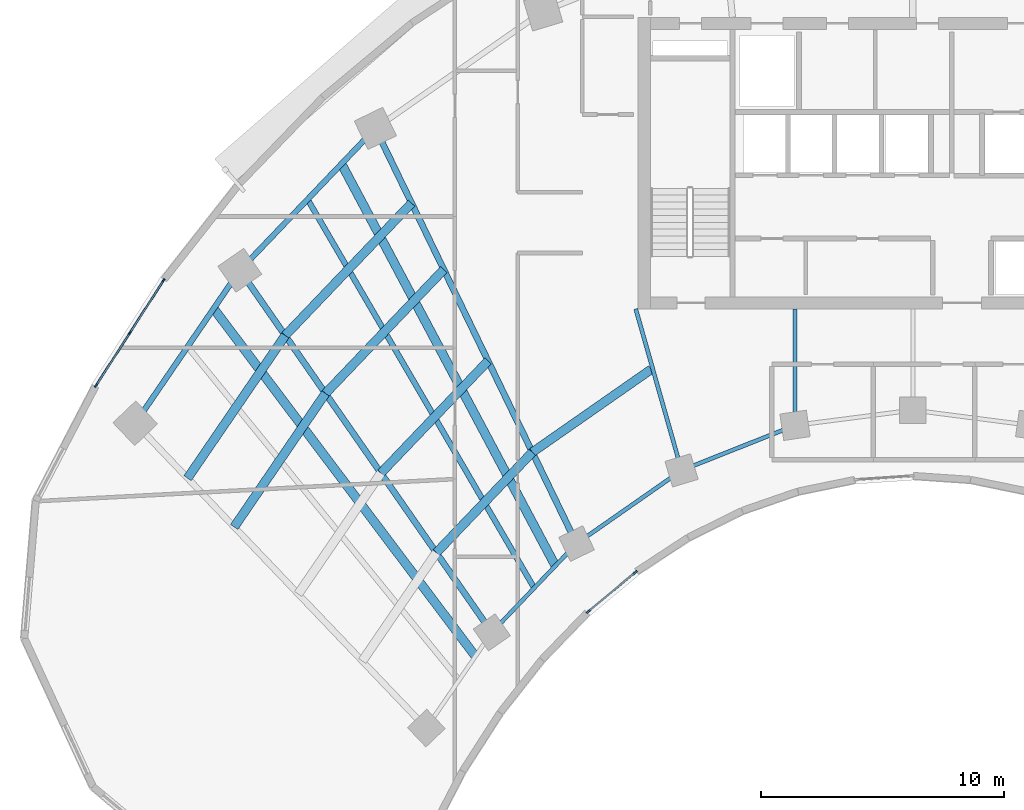
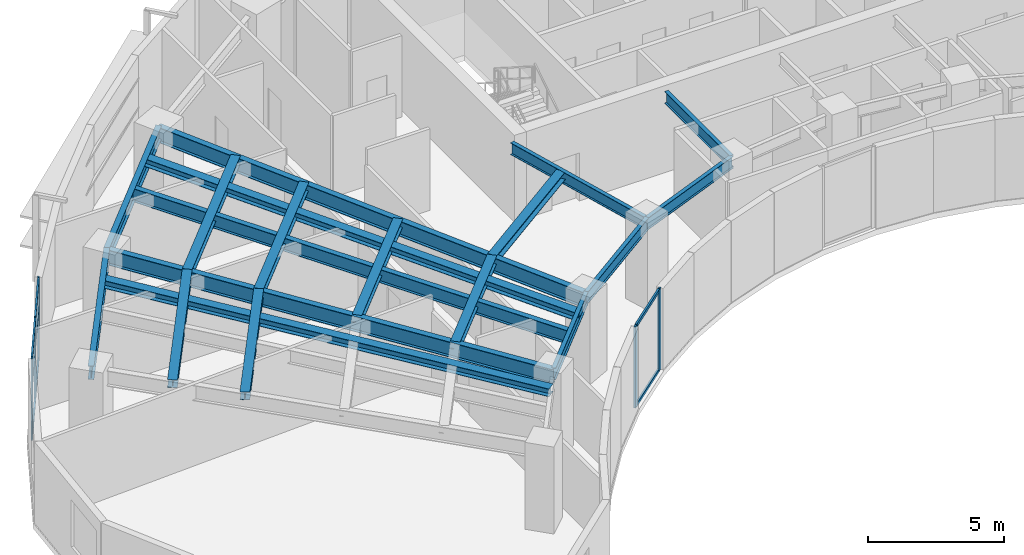
# One storey, part 2 of 14: 19 beams, 13 members, 2 elements without a shape of their own.
"""IFC4 building model written with IfcOpenShell, lengths in metres."""

from ifc_helpers import new_model, si_unit, direction, frame, origin, origin_2d, place, context, subcontext, project, spatial, rectangle, i_section, extrude, source, transform, mapped, material, layer, layer_set, material_profile, profile_set, type_object, type_shapes, element, aggregate, save


model = new_model("IFC4")

# Units and contexts
model_context = context("Model", 3, precision=1e-05, world=origin(), true_north=direction((0.0, 1.0)))
body_context = subcontext(model_context, "Body", "Model", "MODEL_VIEW")
ifc_project = project(units=[si_unit("LENGTHUNIT", "METRE"), si_unit("AREAUNIT", "SQUARE_METRE"), si_unit("VOLUMEUNIT", "CUBIC_METRE"), si_unit("PLANEANGLEUNIT", "RADIAN"), si_unit("MASSUNIT", "GRAM", prefix="KILO")], contexts=[model_context])

# Site, building, storey
site_placement = place(None, origin())
site = spatial("IfcSite", under=ifc_project, at=site_placement, CompositionType="ELEMENT")
building_placement = place(site_placement, origin())
building = spatial("IfcBuilding", under=site, at=building_placement, Name="Breltana Convention Tower", CompositionType="ELEMENT")
storey_placement = place(building_placement, frame((0.0, 0.0, 103.800048828125)))
storey = spatial("IfcBuildingStorey", under=building, at=storey_placement, Name="L24", CompositionType="ELEMENT", Elevation=103.800048828125)

# Beams
ifc_material_1 = material(Name="Steel ASTM A992 Grade 50", Category="steel")
ifc_material_profile_1 = material_profile(ifc_material_1, i_section(OverallWidth=0.25390625, OverallDepth=0.68798828125, WebThickness=0.01318359375, FlangeThickness=0.02099609375, at=origin_2d()), Name="W27X102")
ifc_profile_set_1 = profile_set([ifc_material_profile_1], Name="Steel ASTM A992 Grade 50")
beam_type_1 = type_object("IfcBeamType", Name="BM-RG-W27X102", PredefinedType="USERDEFINED", material=ifc_profile_set_1)
shared_shape_1 = source(origin(), body_context, "Body", "SweptSolid", [
    extrude(i_section(OverallWidth=0.25390625, OverallDepth=0.68798828125, WebThickness=0.01318359375, FlangeThickness=0.02099609375, at=origin_2d()), origin(), (0.0, 0.0, 1.0), 18.1484375),
])
beam_1_placement = place(storey_placement, frame((30.67724609375, 46.892333984375, 3.305908203125), z_axis=(-0.571207556098, 0.820805657788, 0.0), x_axis=(-0.820805657788, -0.571207556098, 0.0)))
element("IfcBeam", 1, at=beam_1_placement, inside=storey, type_object=beam_type_1, Name="L24 Radial Floor Girder R02", ObjectType="GIRDER", PredefinedType="USERDEFINED", context=body_context, shape_type="MappedRepresentation", body=[
    mapped(shared_shape_1, transform((0.0, 0.0, 0.0), scale=1.0)),
])
shared_shape_2 = source(origin(), body_context, "Body", "SweptSolid", [
    extrude(i_section(OverallWidth=0.25390625, OverallDepth=0.68798828125, WebThickness=0.01318359375, FlangeThickness=0.02099609375, at=origin_2d()), origin(), (0.0, 0.0, 1.0), 18.982421875),
])
beam_2_placement = place(storey_placement, frame((34.166259765625, 50.544921875, 3.305908203125), z_axis=(-0.436118560343, 0.89988921614, 0.0), x_axis=(-0.89988921614, -0.436118560343, 0.0)))
element("IfcBeam", 2, at=beam_2_placement, inside=storey, type_object=beam_type_1, Name="L24 Radial Floor Girder R03", ObjectType="GIRDER", PredefinedType="USERDEFINED", context=body_context, shape_type="MappedRepresentation", body=[
    mapped(shared_shape_2, transform((0.0, 0.0, 0.0), scale=1.0)),
])
ifc_material_profile_2 = material_profile(ifc_material_1, i_section(OverallWidth=0.166015625, OverallDepth=0.534912109375, WebThickness=0.01025390625, FlangeThickness=0.0166015625, at=origin_2d()), Name="W21X57")
ifc_profile_set_2 = profile_set([ifc_material_profile_2], Name="Steel ASTM A992 Grade 50")
beam_type_2 = type_object("IfcBeamType", Name="BM-BM-W21X57", PredefinedType="BEAM", material=ifc_profile_set_2)
shared_shape_3 = source(origin(), body_context, "Body", "SweptSolid", [
    extrude(i_section(OverallWidth=0.166015625, OverallDepth=0.534912109375, WebThickness=0.01025390625, FlangeThickness=0.0166015625, at=origin_2d()), origin(), (0.0, 0.0, 1.0), 6.904541015625),
])
type_shapes(beam_type_2, [shared_shape_3])
beam_3_placement = place(storey_placement, frame((36.60009765625, 60.199951171875, 3.382568359375), z_axis=(0.273006781054, -0.962012108811, 0.0), x_axis=(0.962012108811, 0.273006781054, 0.0)))
element("IfcBeam", 3, at=beam_3_placement, inside=storey, type_object=beam_type_2, Name="L24 South Core Tie Girder R04", PredefinedType="BEAM", context=body_context, shape_type="MappedRepresentation", body=[
    mapped(shared_shape_3, transform((0.0, 0.0, 0.0), scale=1.0)),
])
shared_shape_4 = source(origin(), body_context, "Body", "SweptSolid", [
    extrude(i_section(OverallWidth=0.166015625, OverallDepth=0.534912109375, WebThickness=0.01025390625, FlangeThickness=0.0166015625, at=origin_2d()), origin(), (0.0, 0.0, 1.0), 4.789306640625),
])
beam_4_placement = place(storey_placement, frame((43.153564453125, 60.199951171875, 3.382568359375), z_axis=(0.0, -1.0, 0.0), x_axis=(1.0, 0.0, 0.0)))
element("IfcBeam", 4, at=beam_4_placement, inside=storey, type_object=beam_type_2, Name="L24 South Core Tie Girder R05", PredefinedType="BEAM", context=body_context, shape_type="MappedRepresentation", body=[
    mapped(shared_shape_4, transform((0.0, 0.0, 0.0), scale=1.0)),
])
ifc_material_profile_3 = material_profile(ifc_material_1, i_section(OverallWidth=0.22802734375, OverallDepth=0.60791015625, WebThickness=0.01123046875, FlangeThickness=0.017333984375, at=origin_2d()), Name="W24X76")
ifc_profile_set_3 = profile_set([ifc_material_profile_3], Name="Steel ASTM A992 Grade 50")
beam_type_3 = type_object("IfcBeamType", Name="BM-SP-W24X76", PredefinedType="SPANDREL", material=ifc_profile_set_3)
shared_shape_5 = source(origin(), body_context, "Body", "SweptSolid", [
    extrude(i_section(OverallWidth=0.22802734375, OverallDepth=0.60791015625, WebThickness=0.01123046875, FlangeThickness=0.017333984375, at=origin_2d()), origin(), (0.0, 0.0, 1.0), 7.625),
])
type_shapes(beam_type_3, [shared_shape_5])
beam_5_placement = place(storey_placement, frame((16.0068359375, 55.494384765625, 3.345947265625), z_axis=(0.564452031902, 0.825465870694, 0.0), x_axis=(-0.825465870694, 0.564452031902, 0.0)))
element("IfcBeam", 5, at=beam_5_placement, inside=storey, type_object=beam_type_3, Name="L24 Outer Spandrel Beam 01", PredefinedType="SPANDREL", context=body_context, shape_type="MappedRepresentation", body=[
    mapped(shared_shape_5, transform((0.0, 0.0, 0.0), scale=1.0)),
])
shared_shape_6 = source(origin(), body_context, "Body", "SweptSolid", [
    extrude(i_section(OverallWidth=0.166015625, OverallDepth=0.534912109375, WebThickness=0.01025390625, FlangeThickness=0.0166015625, at=origin_2d()), origin(), (0.0, 0.0, 1.0), 5.05126953125),
])
beam_6_placement = place(storey_placement, frame((30.67724609375, 46.892333984375, 3.382568359375), z_axis=(0.690729753845, 0.7231129975, 0.0), x_axis=(-0.7231129975, 0.690729753845, 0.0)))
element("IfcBeam", 6, at=beam_6_placement, inside=storey, type_object=beam_type_2, Name="L24 Inner Ring Beam 02", PredefinedType="BEAM", context=body_context, shape_type="MappedRepresentation", body=[
    mapped(shared_shape_6, transform((0.0, 0.0, 0.0), scale=1.0)),
])
shared_shape_7 = source(origin(), body_context, "Body", "SweptSolid", [
    extrude(i_section(OverallWidth=0.22802734375, OverallDepth=0.60791015625, WebThickness=0.01123046875, FlangeThickness=0.017333984375, at=origin_2d()), origin(), (0.0, 0.0, 1.0), 8.073974609375),
])
beam_7_placement = place(storey_placement, frame((20.310791015625, 61.78857421875, 3.345947265625), z_axis=(0.69072885448, 0.723113856588, 0.0), x_axis=(-0.723113856588, 0.69072885448, 0.0)))
element("IfcBeam", 7, at=beam_7_placement, inside=storey, type_object=beam_type_3, Name="L24 Outer Spandrel Beam 02", PredefinedType="SPANDREL", context=body_context, shape_type="MappedRepresentation", body=[
    mapped(shared_shape_7, transform((0.0, 0.0, 0.0), scale=1.0)),
])
shared_shape_8 = source(origin(), body_context, "Body", "SweptSolid", [
    extrude(i_section(OverallWidth=0.166015625, OverallDepth=0.534912109375, WebThickness=0.01025390625, FlangeThickness=0.0166015625, at=origin_2d()), origin(), (0.0, 0.0, 1.0), 5.265869140625),
])
beam_8_placement = place(storey_placement, frame((34.166259765625, 50.544921875, 3.382568359375), z_axis=(0.820167429517, 0.572123577176, 0.0), x_axis=(-0.572123577176, 0.820167429517, 0.0)))
element("IfcBeam", 8, at=beam_8_placement, inside=storey, type_object=beam_type_2, Name="L24 Inner Ring Beam 03", PredefinedType="BEAM", context=body_context, shape_type="MappedRepresentation", body=[
    mapped(shared_shape_8, transform((0.0, 0.0, 0.0), scale=1.0)),
])
shared_shape_9 = source(origin(), body_context, "Body", "SweptSolid", [
    extrude(i_section(OverallWidth=0.166015625, OverallDepth=0.534912109375, WebThickness=0.01025390625, FlangeThickness=0.0166015625, at=origin_2d()), origin(), (0.0, 0.0, 1.0), 5.022705078125),
])
beam_9_placement = place(storey_placement, frame((38.485107421875, 53.5576171875, 3.382568359375), z_axis=(0.929458966248, 0.368925507469, 0.0), x_axis=(-0.368925507469, 0.929458966248, 0.0)))
element("IfcBeam", 9, at=beam_9_placement, inside=storey, type_object=beam_type_2, Name="L24 Inner Ring Beam 04", PredefinedType="BEAM", context=body_context, shape_type="MappedRepresentation", body=[
    mapped(shared_shape_9, transform((0.0, 0.0, 0.0), scale=1.0)),
])
ifc_material_profile_4 = material_profile(ifc_material_1, i_section(OverallWidth=0.368896484375, OverallDepth=0.35595703125, WebThickness=0.01123046875, FlangeThickness=0.01806640625, at=origin_2d()), Name="W14X90")
ifc_profile_set_4 = profile_set([ifc_material_profile_4], Name="Steel ASTM A992 Grade 50")
beam_type_4 = type_object("IfcBeamType", Name="BM-JSG-09", PredefinedType="JOIST", material=ifc_profile_set_4)
shared_shape_10 = source(origin(), body_context, "Body", "SweptSolid", [
    extrude(i_section(OverallWidth=0.368896484375, OverallDepth=0.35595703125, WebThickness=0.01123046875, FlangeThickness=0.01806640625, at=origin_2d()), origin(), (0.0, 0.0, 1.0), 6.654541015625),
])
beam_10_placement = place(storey_placement, frame((20.0791015625, 51.23095703125, 3.471923828125), z_axis=(0.564482668195, 0.82544492082, 0.0), x_axis=(-0.82544492082, 0.564482668195, 0.0)))
element("IfcBeam", 10, at=beam_10_placement, inside=storey, type_object=beam_type_4, Name="L24 Composite Floor Joist 01.3", PredefinedType="JOIST", context=body_context, shape_type="MappedRepresentation", body=[
    mapped(shared_shape_10, transform((0.0, 0.0, 0.0), scale=1.0)),
])
shared_shape_11 = source(origin(), body_context, "Body", "SweptSolid", [
    extrude(i_section(OverallWidth=0.368896484375, OverallDepth=0.35595703125, WebThickness=0.01123046875, FlangeThickness=0.01806640625, at=origin_2d()), origin(), (0.0, 0.0, 1.0), 7.111328125),
])
beam_11_placement = place(storey_placement, frame((18.162841796875, 53.2373046875, 3.471923828125), z_axis=(0.564446356178, 0.825469751715, 0.0), x_axis=(-0.825469751715, 0.564446356178, 0.0)))
element("IfcBeam", 11, at=beam_11_placement, inside=storey, type_object=beam_type_4, Name="L24 Composite Floor Joist 01.4", PredefinedType="JOIST", context=body_context, shape_type="MappedRepresentation", body=[
    mapped(shared_shape_11, transform((0.0, 0.0, 0.0), scale=1.0)),
])
shared_shape_12 = source(origin(), body_context, "Body", "SweptSolid", [
    extrude(i_section(OverallWidth=0.368896484375, OverallDepth=0.35595703125, WebThickness=0.01123046875, FlangeThickness=0.01806640625, at=origin_2d()), origin(), (0.0, 0.0, 1.0), 17.9072265625),
])
beam_12_placement = place(storey_placement, frame((30.00390625, 45.907958984375, 3.471923828125), z_axis=(-0.601382105028, 0.798961553363, 0.0), x_axis=(-0.798961553363, -0.601382105028, 0.0)))
element("IfcBeam", 12, at=beam_12_placement, inside=storey, type_object=beam_type_4, Name="L24 Quarter-Bay Radial Trimmer 01", PredefinedType="JOIST", context=body_context, shape_type="MappedRepresentation", body=[
    mapped(shared_shape_12, transform((0.0, 0.0, 0.0), scale=1.0)),
])
shared_shape_13 = source(origin(), body_context, "Body", "SweptSolid", [
    extrude(i_section(OverallWidth=0.368896484375, OverallDepth=0.35595703125, WebThickness=0.01123046875, FlangeThickness=0.01806640625, at=origin_2d()), origin(), (0.0, 0.0, 1.0), 5.716064453125),
])
beam_13_placement = place(storey_placement, frame((28.396484375, 50.169677734375, 3.471923828125), z_axis=(0.690756060045, 0.723087868458, 0.0), x_axis=(-0.723087868458, 0.690756060045, 0.0)))
element("IfcBeam", 13, at=beam_13_placement, inside=storey, type_object=beam_type_4, Name="L24 Composite Floor Joist 02.1", PredefinedType="JOIST", context=body_context, shape_type="MappedRepresentation", body=[
    mapped(shared_shape_13, transform((0.0, 0.0, 0.0), scale=1.0)),
])
shared_shape_14 = source(origin(), body_context, "Body", "SweptSolid", [
    extrude(i_section(OverallWidth=0.368896484375, OverallDepth=0.35595703125, WebThickness=0.01123046875, FlangeThickness=0.01806640625, at=origin_2d()), origin(), (0.0, 0.0, 1.0), 6.381103515625),
])
beam_14_placement = place(storey_placement, frame((26.115966796875, 53.44677734375, 3.471923828125), z_axis=(0.690737768889, 0.723105341309, 0.0), x_axis=(-0.723105341309, 0.690737768889, 0.0)))
element("IfcBeam", 14, at=beam_14_placement, inside=storey, type_object=beam_type_4, Name="L24 Composite Floor Joist 02.2", PredefinedType="JOIST", context=body_context, shape_type="MappedRepresentation", body=[
    mapped(shared_shape_14, transform((0.0, 0.0, 0.0), scale=1.0)),
])
shared_shape_15 = source(origin(), body_context, "Body", "SweptSolid", [
    extrude(i_section(OverallWidth=0.368896484375, OverallDepth=0.35595703125, WebThickness=0.01123046875, FlangeThickness=0.01806640625, at=origin_2d()), origin(), (0.0, 0.0, 1.0), 7.046142578125),
])
beam_15_placement = place(storey_placement, frame((23.83544921875, 56.723876953125, 3.471923828125), z_axis=(0.690722929904, 0.723119515782, 0.0), x_axis=(-0.723119515782, 0.690722929904, 0.0)))
element("IfcBeam", 15, at=beam_15_placement, inside=storey, type_object=beam_type_4, Name="L24 Composite Floor Joist 02.3", PredefinedType="JOIST", context=body_context, shape_type="MappedRepresentation", body=[
    mapped(shared_shape_15, transform((0.0, 0.0, 0.0), scale=1.0)),
])
shared_shape_16 = source(origin(), body_context, "Body", "SweptSolid", [
    extrude(i_section(OverallWidth=0.368896484375, OverallDepth=0.35595703125, WebThickness=0.01123046875, FlangeThickness=0.01806640625, at=origin_2d()), origin(), (0.0, 0.0, 1.0), 7.529541015625),
])
beam_16_placement = place(storey_placement, frame((22.1767578125, 59.107421875, 3.471923828125), z_axis=(0.690725562031, 0.723117001568, 0.0), x_axis=(-0.723117001568, 0.690725562031, 0.0)))
element("IfcBeam", 16, at=beam_16_placement, inside=storey, type_object=beam_type_4, Name="L24 Composite Floor Joist 02.4", PredefinedType="JOIST", context=body_context, shape_type="MappedRepresentation", body=[
    mapped(shared_shape_16, transform((0.0, 0.0, 0.0), scale=1.0)),
])
ifc_material_profile_5 = material_profile(ifc_material_1, i_section(OverallWidth=0.22802734375, OverallDepth=0.60791015625, WebThickness=0.01123046875, FlangeThickness=0.017333984375, at=origin_2d()), Name="W24X76")
ifc_profile_set_5 = profile_set([ifc_material_profile_5], Name="Steel ASTM A992 Grade 50")
beam_type_5 = type_object("IfcBeamType", Name="BM-JSG-02", PredefinedType="JOIST", material=ifc_profile_set_5)
shared_shape_17 = source(origin(), body_context, "Body", "SweptSolid", [
    extrude(i_section(OverallWidth=0.22802734375, OverallDepth=0.60791015625, WebThickness=0.01123046875, FlangeThickness=0.017333984375, at=origin_2d()), origin(), (0.0, 0.0, 1.0), 18.50830078125),
])
beam_17_placement = place(storey_placement, frame((32.421630859375, 48.71875, 3.345947265625), z_axis=(-0.50368319637, 0.863888440537, 0.0), x_axis=(-0.863888440537, -0.50368319637, 0.0)))
element("IfcBeam", 17, at=beam_17_placement, inside=storey, type_object=beam_type_5, Name="L24 Mid-Bay Radial Trimmer 02", PredefinedType="JOIST", context=body_context, shape_type="MappedRepresentation", body=[
    mapped(shared_shape_17, transform((0.0, 0.0, 0.0), scale=1.0)),
])
shared_shape_18 = source(origin(), body_context, "Body", "SweptSolid", [
    extrude(i_section(OverallWidth=0.368896484375, OverallDepth=0.35595703125, WebThickness=0.01123046875, FlangeThickness=0.01806640625, at=origin_2d()), origin(), (0.0, 0.0, 1.0), 18.731689453125),
])
beam_18_placement = place(storey_placement, frame((33.2939453125, 49.6318359375, 3.471923828125), z_axis=(-0.469820250451, 0.882762104004, 0.0), x_axis=(-0.882762104004, -0.469820250451, 0.0)))
element("IfcBeam", 18, at=beam_18_placement, inside=storey, type_object=beam_type_4, Name="L24 Quarter-Bay Radial Trimmer 02", PredefinedType="JOIST", context=body_context, shape_type="MappedRepresentation", body=[
    mapped(shared_shape_18, transform((0.0, 0.0, 0.0), scale=1.0)),
])
shared_shape_19 = source(origin(), body_context, "Body", "SweptSolid", [
    extrude(i_section(OverallWidth=0.368896484375, OverallDepth=0.35595703125, WebThickness=0.01123046875, FlangeThickness=0.01806640625, at=origin_2d()), origin(), (0.0, 0.0, 1.0), 5.959228515625),
])
beam_19_placement = place(storey_placement, frame((32.344970703125, 54.302978515625, 3.471923828125), z_axis=(0.820160485262, 0.572133531979, 0.0), x_axis=(-0.572133531979, 0.820160485262, 0.0)))
element("IfcBeam", 19, at=beam_19_placement, inside=storey, type_object=beam_type_4, Name="L24 Composite Floor Joist 03.1", PredefinedType="JOIST", context=body_context, shape_type="MappedRepresentation", body=[
    mapped(shared_shape_19, transform((0.0, 0.0, 0.0), scale=1.0)),
])

# Curtain wall, members
ifc_material_2 = material(Name="Aluminium Anodised Bronze Frame", Category="aluminium")
ifc_layer_1 = layer(ifc_material_2, 0.18994140625, Name="Aluminium Anodised Bronze Frame")
ifc_layer_set_1 = layer_set([ifc_layer_1], Name="Aluminium Anodised Bronze Frame")
curtain_wall_type_1 = type_object("IfcCurtainWallType", Name="CW-SYS-1", PredefinedType="NOTDEFINED", material=ifc_layer_set_1)
curtain_wall_1_placement = place(storey_placement, origin())
curtain_wall_1 = element("IfcCurtainWall", 20, at=curtain_wall_1_placement, inside=storey, type_object=curtain_wall_type_1, Name="L24 inner south-court glazing 5", PredefinedType="NOTDEFINED")
ifc_material_3 = material(Name="Aluminium Anodised Bronze", Category="aluminium")
ifc_material_profile_6 = material_profile(ifc_material_3, rectangle(XDim=0.080078125, YDim=0.199951171875, at=origin_2d()), Name="CWM-80X200")
ifc_profile_set_6 = profile_set([ifc_material_profile_6], Name="Aluminium Anodised Bronze")
member_type_1 = type_object("IfcMemberType", Name="CWM-200", PredefinedType="MULLION", material=ifc_profile_set_6)
shared_shape_20 = source(origin(), body_context, "Body", "SweptSolid", [
    extrude(rectangle(XDim=0.080078125, YDim=0.199951171875, at=origin_2d()), origin(), (0.0, 0.0, 1.0), 3.64990234375),
])
member_1_placement = place(storey_placement, frame((36.582275390625, 49.361328125, 0.0), z_axis=(0.0, 0.0, 1.0), x_axis=(0.640520924036, -0.76794071768, 0.0)))
member_1 = element("IfcMember", 21, at=member_1_placement, type_object=member_type_1, Name="CW-01 mullion 1", PredefinedType="MULLION", context=body_context, shape_type="MappedRepresentation", body=[
    mapped(shared_shape_20, transform((0.0, 0.0, 0.0), scale=1.0)),
])
member_2_placement = place(storey_placement, frame((34.646240234375, 47.746826171875, 0.0), z_axis=(0.0, 0.0, 1.0), x_axis=(0.640520924036, -0.76794071768, 0.0)))
member_2 = element("IfcMember", 22, at=member_2_placement, type_object=member_type_1, Name="CW-01 mullion 2", PredefinedType="MULLION", context=body_context, shape_type="MappedRepresentation", body=[
    mapped(shared_shape_20, transform((0.0, 0.0, 0.0), scale=1.0)),
])
ifc_material_profile_7 = material_profile(ifc_material_3, rectangle(XDim=0.080078125, YDim=0.139892578125, at=origin_2d()), Name="CWT-80X140")
ifc_profile_set_7 = profile_set([ifc_material_profile_7], Name="Aluminium Anodised Bronze")
member_type_2 = type_object("IfcMemberType", Name="CWT-140", PredefinedType="USERDEFINED", material=ifc_profile_set_7)
shared_shape_21 = source(origin(), body_context, "Body", "SweptSolid", [
    extrude(rectangle(XDim=0.080078125, YDim=0.139892578125, at=origin_2d()), origin(), (0.0, 0.0, 1.0), 2.44091796875),
])
member_3_placement = place(storey_placement, frame((36.551513671875, 49.335693359375, 0.0400390625), z_axis=(-0.767991664717, -0.64045983709, 0.0), x_axis=(0.64045983709, -0.767991664717, 0.0)))
member_3 = element("IfcMember", 23, at=member_3_placement, type_object=member_type_2, Name="CW-01 transom 1.1", ObjectType="TRANSOM", PredefinedType="USERDEFINED", context=body_context, shape_type="MappedRepresentation", body=[
    mapped(shared_shape_21, transform((0.0, 0.0, 0.0), scale=1.0)),
])
member_4_placement = place(storey_placement, frame((36.551513671875, 49.335693359375, 3.60986328125), z_axis=(-0.767991664717, -0.64045983709, 0.0), x_axis=(0.64045983709, -0.767991664717, 0.0)))
member_4 = element("IfcMember", 24, at=member_4_placement, type_object=member_type_2, Name="CW-01 transom 1.2", ObjectType="TRANSOM", PredefinedType="USERDEFINED", context=body_context, shape_type="MappedRepresentation", body=[
    mapped(shared_shape_21, transform((0.0, 0.0, 0.0), scale=1.0)),
])
aggregate(curtain_wall_1, [member_1, member_2, member_3, member_4])

ifc_layer_2 = layer(ifc_material_2, 0.22998046875, Name="Aluminium Anodised Bronze Frame")
ifc_layer_set_2 = layer_set([ifc_layer_2], Name="Aluminium Anodised Bronze Frame")
curtain_wall_type_2 = type_object("IfcCurtainWallType", Name="CW-SYS-5", PredefinedType="NOTDEFINED", material=ifc_layer_set_2)
curtain_wall_2_placement = place(storey_placement, origin())
curtain_wall_2 = element("IfcCurtainWall", 25, at=curtain_wall_2_placement, inside=storey, type_object=curtain_wall_type_2, Name="L24 outer double-skin inner glazing 1", PredefinedType="NOTDEFINED")
ifc_material_profile_8 = material_profile(ifc_material_3, rectangle(XDim=0.070068359375, YDim=0.175048828125, at=origin_2d()), Name="CWM-70X175")
ifc_profile_set_8 = profile_set([ifc_material_profile_8], Name="Aluminium Anodised Bronze")
member_type_3 = type_object("IfcMemberType", Name="CWM-175", PredefinedType="MULLION", material=ifc_profile_set_8)
shared_shape_22 = source(origin(), body_context, "Body", "SweptSolid", [
    extrude(rectangle(XDim=0.070068359375, YDim=0.175048828125, at=origin_2d()), origin(), (0.0, 0.0, 1.0), 3.64990234375),
])
member_5_placement = place(storey_placement, frame((14.395751953125, 57.049560546875, 0.0), z_axis=(0.0, 0.0, 1.0), x_axis=(-0.84155155167, 0.540176809834, 0.0)))
member_5 = element("IfcMember", 26, at=member_5_placement, type_object=member_type_3, Name="CW-05 mullion 1", PredefinedType="MULLION", context=body_context, shape_type="MappedRepresentation", body=[
    mapped(shared_shape_22, transform((0.0, 0.0, 0.0), scale=1.0)),
])
member_6_placement = place(storey_placement, frame((15.78271484375, 59.210205078125, 0.0), z_axis=(0.0, 0.0, 1.0), x_axis=(-0.84155155167, 0.540176809834, 0.0)))
member_6 = element("IfcMember", 27, at=member_6_placement, type_object=member_type_3, Name="CW-05 mullion 2", PredefinedType="MULLION", context=body_context, shape_type="MappedRepresentation", body=[
    mapped(shared_shape_22, transform((0.0, 0.0, 0.0), scale=1.0)),
])
member_7_placement = place(storey_placement, frame((17.169677734375, 61.370849609375, 0.0), z_axis=(0.0, 0.0, 1.0), x_axis=(-0.84155155167, 0.540176809834, 0.0)))
member_7 = element("IfcMember", 28, at=member_7_placement, type_object=member_type_3, Name="CW-05 mullion 3", PredefinedType="MULLION", context=body_context, shape_type="MappedRepresentation", body=[
    mapped(shared_shape_22, transform((0.0, 0.0, 0.0), scale=1.0)),
])
ifc_material_profile_9 = material_profile(ifc_material_3, rectangle(XDim=0.070068359375, YDim=0.1201171875, at=origin_2d()), Name="CWT-70X120")
ifc_profile_set_9 = profile_set([ifc_material_profile_9], Name="Aluminium Anodised Bronze")
member_type_4 = type_object("IfcMemberType", Name="CWT-120", PredefinedType="USERDEFINED", material=ifc_profile_set_9)
shared_shape_23 = source(origin(), body_context, "Body", "SweptSolid", [
    extrude(rectangle(XDim=0.070068359375, YDim=0.1201171875, at=origin_2d()), origin(), (0.0, 0.0, 1.0), 2.49755859375),
])
member_8_placement = place(storey_placement, frame((14.41455078125, 57.078857421875, 0.034912109375), z_axis=(0.540179419124, 0.841549876808, 0.0), x_axis=(-0.841549876808, 0.540179419124, 0.0)))
member_8 = element("IfcMember", 29, at=member_8_placement, type_object=member_type_4, Name="CW-05 transom 1.1", ObjectType="TRANSOM", PredefinedType="USERDEFINED", context=body_context, shape_type="MappedRepresentation", body=[
    mapped(shared_shape_23, transform((0.0, 0.0, 0.0), scale=1.0)),
])
member_9_placement = place(storey_placement, frame((14.41455078125, 57.078857421875, 2.37255859375), z_axis=(0.540179419124, 0.841549876808, 0.0), x_axis=(-0.841549876808, 0.540179419124, 0.0)))
member_9 = element("IfcMember", 30, at=member_9_placement, type_object=member_type_4, Name="CW-05 transom 1.2", ObjectType="TRANSOM", PredefinedType="USERDEFINED", context=body_context, shape_type="MappedRepresentation", body=[
    mapped(shared_shape_23, transform((0.0, 0.0, 0.0), scale=1.0)),
])
member_10_placement = place(storey_placement, frame((14.41455078125, 57.078857421875, 3.614990234375), z_axis=(0.540179419124, 0.841549876808, 0.0), x_axis=(-0.841549876808, 0.540179419124, 0.0)))
member_10 = element("IfcMember", 31, at=member_10_placement, type_object=member_type_4, Name="CW-05 transom 1.3", ObjectType="TRANSOM", PredefinedType="USERDEFINED", context=body_context, shape_type="MappedRepresentation", body=[
    mapped(shared_shape_23, transform((0.0, 0.0, 0.0), scale=1.0)),
])
member_11_placement = place(storey_placement, frame((15.801513671875, 59.23974609375, 0.034912109375), z_axis=(0.540179419124, 0.841549876808, 0.0), x_axis=(-0.841549876808, 0.540179419124, 0.0)))
member_11 = element("IfcMember", 32, at=member_11_placement, type_object=member_type_4, Name="CW-05 transom 2.1", ObjectType="TRANSOM", PredefinedType="USERDEFINED", context=body_context, shape_type="MappedRepresentation", body=[
    mapped(shared_shape_23, transform((0.0, 0.0, 0.0), scale=1.0)),
])
member_12_placement = place(storey_placement, frame((15.801513671875, 59.23974609375, 2.37255859375), z_axis=(0.540179419124, 0.841549876808, 0.0), x_axis=(-0.841549876808, 0.540179419124, 0.0)))
member_12 = element("IfcMember", 33, at=member_12_placement, type_object=member_type_4, Name="CW-05 transom 2.2", ObjectType="TRANSOM", PredefinedType="USERDEFINED", context=body_context, shape_type="MappedRepresentation", body=[
    mapped(shared_shape_23, transform((0.0, 0.0, 0.0), scale=1.0)),
])
member_13_placement = place(storey_placement, frame((15.801513671875, 59.23974609375, 3.614990234375), z_axis=(0.540179419124, 0.841549876808, 0.0), x_axis=(-0.841549876808, 0.540179419124, 0.0)))
member_13 = element("IfcMember", 34, at=member_13_placement, type_object=member_type_4, Name="CW-05 transom 2.3", ObjectType="TRANSOM", PredefinedType="USERDEFINED", context=body_context, shape_type="MappedRepresentation", body=[
    mapped(shared_shape_23, transform((0.0, 0.0, 0.0), scale=1.0)),
])
aggregate(curtain_wall_2, [member_5, member_6, member_7, member_8, member_9, member_10, member_11, member_12, member_13])

save(model, "model.ifc")
